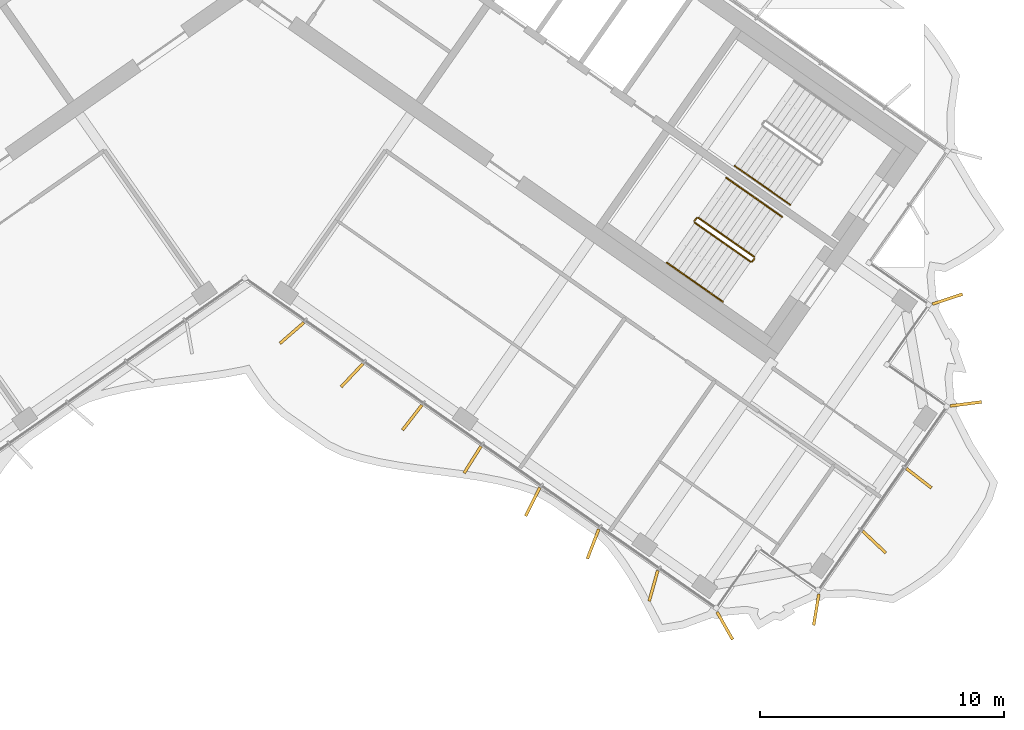
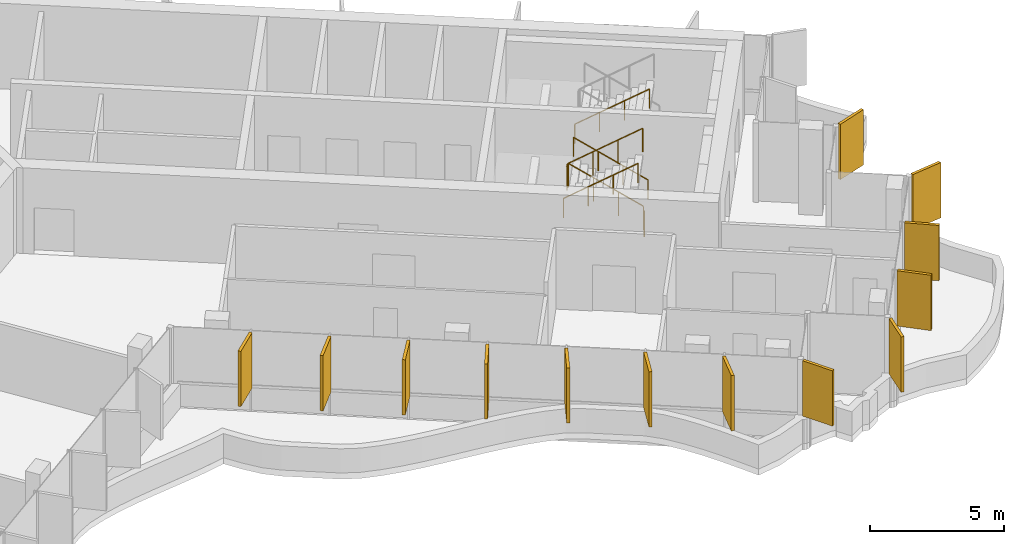
# One storey, part 15 of 17: 13 shading devices, 7 railings.
"""IFC4 building model written with IfcOpenShell, lengths in metres."""

from ifc_helpers import new_model, si_unit, direction, frame, origin, origin_2d, place, context, subcontext, project, spatial, rectangle, circle, extrude, material, layer, layer_set, type_object, element, save


model = new_model("IFC4")

# Units and contexts
model_context = context("Model", 3, precision=1e-05, world=origin(), true_north=direction((0.0, 1.0)))
body_context = subcontext(model_context, "Body", "Model", "MODEL_VIEW")
ifc_project = project(units=[si_unit("LENGTHUNIT", "METRE"), si_unit("AREAUNIT", "SQUARE_METRE"), si_unit("VOLUMEUNIT", "CUBIC_METRE"), si_unit("PLANEANGLEUNIT", "RADIAN"), si_unit("MASSUNIT", "GRAM", prefix="KILO")], contexts=[model_context])

# Site, building, storey
site_placement = place(None, origin())
site = spatial("IfcSite", under=ifc_project, at=site_placement, CompositionType="ELEMENT")
building_placement = place(site_placement, origin())
building = spatial("IfcBuilding", under=site, at=building_placement, Name="Tel Ilan Convention Tower", CompositionType="ELEMENT")
storey_placement = place(building_placement, frame((0.0, 0.0, 291.699951171875)))
storey = spatial("IfcBuildingStorey", under=building, at=storey_placement, Name="L69", CompositionType="ELEMENT", Elevation=291.699951171875)

# Shading devices
ifc_material_1 = material(Name="Aluminium, bronze anodised", Category="aluminium")
ifc_layer = layer(ifc_material_1, 0.1201171875)
ifc_layer_set = layer_set([ifc_layer], Name="FIN BRONZE 1300x120")
shading_device_type = type_object("IfcShadingDeviceType", Name="FIN BRONZE 1300x120", PredefinedType="USERDEFINED", material=ifc_layer_set)
for number, where, z_axis, x_axis, name in (
    (1, (1.923583984375, -14.952392578125, 1.10009765625), (0.0, 0.0, 1.0), (-0.753435896329, -0.657521368568, 0.0), "FIN"),
    (2, (4.39208984375, -16.6884765625, 1.10009765625), (0.0, 0.0, 1.0), (-0.686241637865, -0.727373641577, 0.0), "FIN"),
    (3, (6.864501953125, -18.42041015625, 1.10009765625), (0.0, 0.0, 1.0), (-0.612600545196, -0.790392669516, 0.0), "FIN"),
    (4, (9.337646484375, -20.15185546875, 1.10009765625), (0.0, 0.0, 1.0), (-0.533204432798, -0.845986425922, 0.0), "FIN"),
    (5, (11.810546875, -21.883056640625, 1.10009765625), (0.0, 0.0, 1.0), (-0.448799180206, -0.893632640321, 0.0), "FIN"),
    (6, (14.286376953125, -23.60888671875, 1.10009765625), (0.0, 0.0, 1.0), (-0.360177724803, -0.932883704733, 0.0), "FIN"),
    (7, (16.764404296875, -25.32861328125, 1.10009765625), (0.0, 0.0, 1.0), (-0.268172612768, -0.963370878614, 0.0), "FIN"),
    (8, (19.694091796875, -26.96728515625, 1.10009765625), (0.0, 0.0, 1.0), (0.491579408049, -0.870832754082, 0.0), "FIN"),
    (9, (23.446044921875, -26.3056640625, 1.10009765625), (0.0, 0.0, 1.0), (-0.16409119891, -0.986445172547, 0.0), "FIN"),
    (10, (25.826171875, -23.529296875, 1.10009765625), (0.0, 0.0, 1.0), (0.727373641577, -0.686241637865, 0.0), "FIN"),
    (11, (27.659423828125, -20.911376953125, 1.10009765625), (0.0, 0.0, 1.0), (0.790392669516, -0.612600545196, 0.0), "FIN"),
    (12, (29.588134765625, -17.863037109375, 1.10009765625), (0.0, 0.0, 1.0), (0.992066016082, 0.125718016748, 0.0), "FIN"),
    (13, (28.829345703125, -13.56103515625, 1.10009765625), (0.0, 0.0, 1.0), (0.949242643575, 0.314544756146, 0.0), "FIN"),
):
    element("IfcShadingDevice", number, at=place(storey_placement, frame(where, z_axis=z_axis, x_axis=x_axis)), inside=storey, type_object=shading_device_type, Name=name, ObjectType="FIN", PredefinedType="USERDEFINED", context=body_context, shape_type="SweptSolid", body=[
        extrude(rectangle(XDim=1.300048828125, YDim=0.1201171875, at=origin_2d()), origin(), (0.0, 0.0, 1.0), 2.52001953125),
    ])

# Railings
ifc_material_2 = material(Name="Stainless Steel Grade 316", Category="steel")
railing_type_1 = type_object("IfcRailingType", Name="Stainless Steel Stair Guard 1100 mm", PredefinedType="GUARDRAIL", material=ifc_material_2)
railing_1_placement = place(storey_placement, frame((20.89697265625, -11.824462890625, 0.17724609375)))
element("IfcRailing", 14, at=railing_1_placement, inside=storey, type_object=railing_type_1, Name="L69 S4 stair guard 1", PredefinedType="GUARDRAIL", context=body_context, shape_type="SweptSolid", body=[
    extrude(circle(Radius=0.02392578125, at=origin_2d()), frame((0.0, 0.0, 1.076171875), z_axis=(-0.692123088272, 0.484596665743, 0.534912798717), x_axis=(-0.573550118428, -0.819170471667, 0.0)), (0.0, 0.0, 1.0), 3.31396484375),
    extrude(circle(Radius=0.02099609375, at=origin_2d()), origin(), (0.0, 0.0, 1.0), 1.052001953125),
    extrude(circle(Radius=0.02099609375, at=origin_2d()), frame((-0.7646484375, 0.535400390625, 0.5908203125)), (0.0, 0.0, 1.0), 1.052001953125),
    extrude(circle(Radius=0.02099609375, at=origin_2d()), frame((-1.529052734375, 1.070556640625, 1.181884765625)), (0.0, 0.0, 1.0), 1.052001953125),
    extrude(circle(Radius=0.02099609375, at=origin_2d()), frame((-2.293701171875, 1.60595703125, 1.772705078125)), (0.0, 0.0, 1.0), 1.052001953125),
])
railing_2_placement = place(storey_placement, frame((18.53369140625, -10.230712890625, 1.949951171875)))
element("IfcRailing", 15, at=railing_2_placement, inside=storey, type_object=railing_type_1, Name="L69 S4 stair guard 2", PredefinedType="GUARDRAIL", context=body_context, shape_type="SweptSolid", body=[
    extrude(circle(Radius=0.02392578125, at=origin_2d()), frame((0.0, 0.0, 1.076171875), z_axis=(-0.573353020881, -0.819308436089, 0.0), x_axis=(0.819308436089, -0.573353020881, 0.0)), (0.0, 0.0, 1.0), 0.14990234375),
    extrude(circle(Radius=0.02099609375, at=origin_2d()), origin(), (0.0, 0.0, 1.0), 1.052001953125),
    extrude(circle(Radius=0.02099609375, at=origin_2d()), frame((-0.0859375, -0.122802734375, 0.0)), (0.0, 0.0, 1.0), 1.052001953125),
])
railing_3_placement = place(storey_placement, frame((18.4599609375, -10.423095703125, 2.12744140625)))
element("IfcRailing", 16, at=railing_3_placement, inside=storey, type_object=railing_type_1, Name="L69 S4 stair guard 3", PredefinedType="GUARDRAIL", context=body_context, shape_type="SweptSolid", body=[
    extrude(circle(Radius=0.02392578125, at=origin_2d()), frame((0.0, 0.0, 1.076171875), z_axis=(0.692098378994, -0.484653031975, 0.534893701956), x_axis=(0.573608623498, 0.819129505664, 0.0)), (0.0, 0.0, 1.0), 3.314208984375),
    extrude(circle(Radius=0.02099609375, at=origin_2d()), origin(), (0.0, 0.0, 1.0), 1.052001953125),
    extrude(circle(Radius=0.02099609375, at=origin_2d()), frame((0.7646484375, -0.535400390625, 0.5908203125)), (0.0, 0.0, 1.0), 1.052001953125),
    extrude(circle(Radius=0.02099609375, at=origin_2d()), frame((1.529052734375, -1.07080078125, 1.181884765625)), (0.0, 0.0, 1.0), 1.052001953125),
    extrude(circle(Radius=0.02099609375, at=origin_2d()), frame((2.293701171875, -1.606201171875, 1.772705078125)), (0.0, 0.0, 1.0), 1.052001953125),
])
railing_4_placement = place(storey_placement, frame((20.9091796875, -11.89404296875, 0.0)))
element("IfcRailing", 17, at=railing_4_placement, inside=storey, type_object=railing_type_1, Name="L69 S4 stair guard 4", PredefinedType="GUARDRAIL", context=body_context, shape_type="SweptSolid", body=[
    extrude(circle(Radius=0.02392578125, at=origin_2d()), frame((0.0, 0.0, 1.076171875), z_axis=(-0.573353020881, -0.819308436089, 0.0), x_axis=(0.819308436089, -0.573353020881, 0.0)), (0.0, 0.0, 1.0), 0.14990234375),
    extrude(circle(Radius=0.02099609375, at=origin_2d()), origin(), (0.0, 0.0, 1.0), 1.052001953125),
    extrude(circle(Radius=0.02099609375, at=origin_2d()), frame((-0.0859375, -0.122802734375, 0.0)), (0.0, 0.0, 1.0), 1.052001953125),
])
ifc_material_3 = material(Name="Stainless Steel Grade 316", Category="steel")
railing_type_2 = type_object("IfcRailingType", Name="Stainless Steel Stair Handrail 900 mm", PredefinedType="HANDRAIL", material=ifc_material_3)
railing_5_placement = place(storey_placement, frame((20.0947265625, -8.088623046875, 2.12744140625)))
element("IfcRailing", 18, at=railing_5_placement, inside=storey, type_object=railing_type_2, Name="L69 S3 stair handrail 2", PredefinedType="HANDRAIL", context=body_context, shape_type="SweptSolid", body=[
    extrude(circle(Radius=0.02392578125, at=origin_2d()), frame((0.0, 0.0, 0.8759765625), z_axis=(0.692084706163, -0.484621375041, 0.534940073605), x_axis=(0.573591086599, 0.819141785879, 0.0)), (0.0, 0.0, 1.0), 3.313720703125),
    extrude(circle(Radius=0.02099609375, at=origin_2d()), origin(), (0.0, 0.0, 1.0), 0.851806640625),
    extrude(circle(Radius=0.02099609375, at=origin_2d()), frame((0.764404296875, -0.535400390625, 0.5908203125)), (0.0, 0.0, 1.0), 0.851806640625),
    extrude(circle(Radius=0.02099609375, at=origin_2d()), frame((1.529052734375, -1.070556640625, 1.181884765625)), (0.0, 0.0, 1.0), 0.851806640625),
    extrude(circle(Radius=0.02099609375, at=origin_2d()), frame((2.29345703125, -1.60595703125, 1.772705078125)), (0.0, 0.0, 1.0), 0.851806640625),
])
railing_6_placement = place(storey_placement, frame((22.044189453125, -10.18603515625, 0.17724609375)))
element("IfcRailing", 19, at=railing_6_placement, inside=storey, type_object=railing_type_2, Name="L69 S4 stair handrail 1", PredefinedType="HANDRAIL", context=body_context, shape_type="SweptSolid", body=[
    extrude(circle(Radius=0.02392578125, at=origin_2d()), frame((0.0, 0.0, 0.8759765625), z_axis=(-0.692123088272, 0.484596665743, 0.534912798717), x_axis=(-0.573550118428, -0.819170471667, 0.0)), (0.0, 0.0, 1.0), 3.31396484375),
    extrude(circle(Radius=0.02099609375, at=origin_2d()), origin(), (0.0, 0.0, 1.0), 0.851806640625),
    extrude(circle(Radius=0.02099609375, at=origin_2d()), frame((-0.7646484375, 0.535400390625, 0.5908203125)), (0.0, 0.0, 1.0), 0.851806640625),
    extrude(circle(Radius=0.02099609375, at=origin_2d()), frame((-1.529052734375, 1.070556640625, 1.181884765625)), (0.0, 0.0, 1.0), 0.851806640625),
    extrude(circle(Radius=0.02099609375, at=origin_2d()), frame((-2.293701171875, 1.60595703125, 1.772705078125)), (0.0, 0.0, 1.0), 0.851806640625),
])
railing_7_placement = place(storey_placement, frame((17.312744140625, -12.0615234375, 2.12744140625)))
element("IfcRailing", 20, at=railing_7_placement, inside=storey, type_object=railing_type_2, Name="L69 S4 stair handrail 2", PredefinedType="HANDRAIL", context=body_context, shape_type="SweptSolid", body=[
    extrude(circle(Radius=0.02392578125, at=origin_2d()), frame((0.0, 0.0, 0.8759765625), z_axis=(0.692123088272, -0.484596665743, 0.534912798717), x_axis=(0.573550118428, 0.819170471667, 0.0)), (0.0, 0.0, 1.0), 3.31396484375),
    extrude(circle(Radius=0.02099609375, at=origin_2d()), origin(), (0.0, 0.0, 1.0), 0.851806640625),
    extrude(circle(Radius=0.02099609375, at=origin_2d()), frame((0.7646484375, -0.535400390625, 0.5908203125)), (0.0, 0.0, 1.0), 0.851806640625),
    extrude(circle(Radius=0.02099609375, at=origin_2d()), frame((1.529052734375, -1.070556640625, 1.181884765625)), (0.0, 0.0, 1.0), 0.851806640625),
    extrude(circle(Radius=0.02099609375, at=origin_2d()), frame((2.293701171875, -1.60595703125, 1.772705078125)), (0.0, 0.0, 1.0), 0.851806640625),
])

save(model, "model.ifc")
